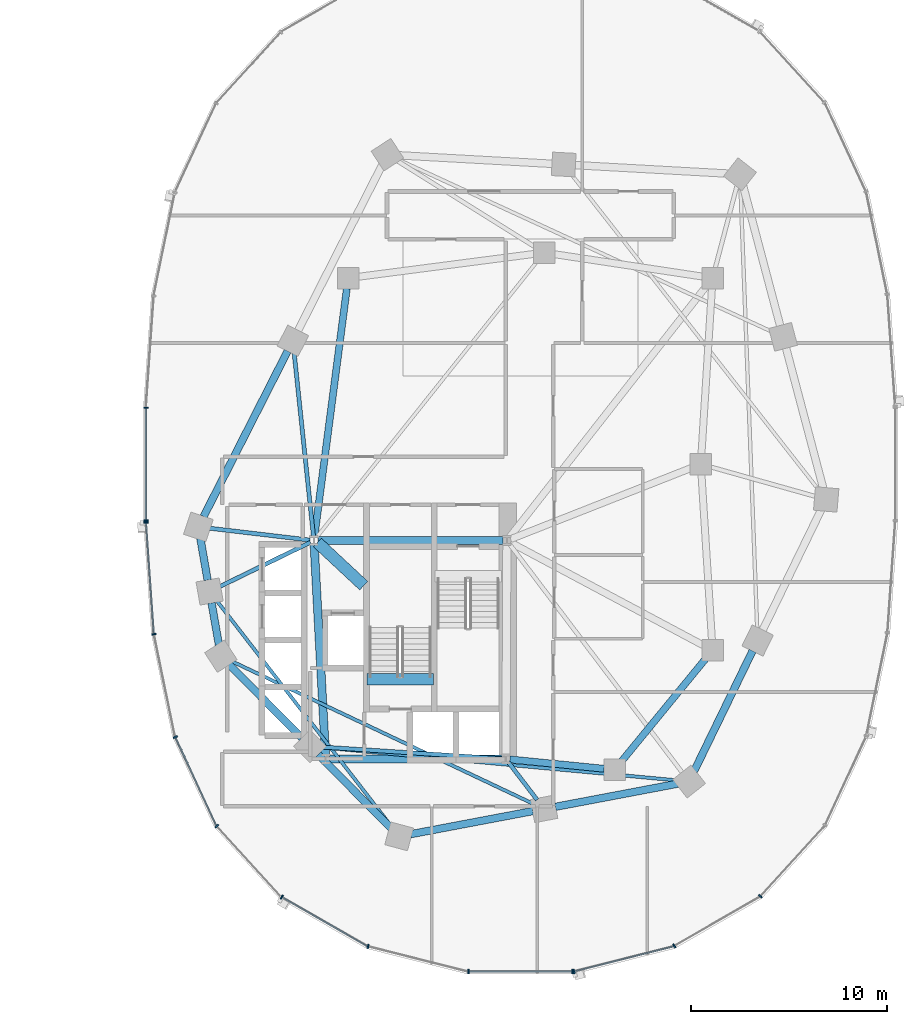
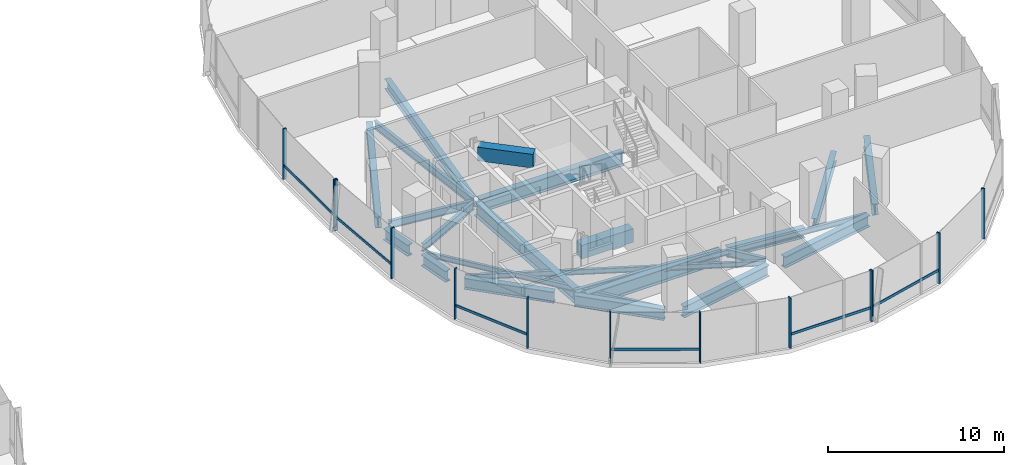
# One storey, part 5 of 22: 24 beams, 19 members, 3 elements without a shape of their own.
"""IFC4 building model written with IfcOpenShell, lengths in metres."""

from ifc_helpers import new_model, si_unit, direction, frame, origin, origin_2d, place, context, subcontext, project, spatial, rectangle, i_section, extrude, material, material_profile, profile_set, type_object, element, aggregate, save


model = new_model("IFC4")

# Units and contexts
model_context = context("Model", 3, precision=1e-05, world=origin(), true_north=direction((0.0, 1.0)))
body_context = subcontext(model_context, "Body", "Model", "MODEL_VIEW")
ifc_project = project(units=[si_unit("LENGTHUNIT", "METRE"), si_unit("AREAUNIT", "SQUARE_METRE"), si_unit("VOLUMEUNIT", "CUBIC_METRE"), si_unit("PLANEANGLEUNIT", "RADIAN"), si_unit("MASSUNIT", "GRAM", prefix="KILO"), si_unit("THERMODYNAMICTEMPERATUREUNIT", "KELVIN"), si_unit("POWERUNIT", "WATT")], contexts=[model_context])

# Site, building, storey
site_placement = place(None, origin())
site = spatial("IfcSite", under=ifc_project, at=site_placement, CompositionType="ELEMENT")
building_placement = place(site_placement, origin())
building = spatial("IfcBuilding", under=site, at=building_placement, Name="Cundina Bronze Exchange", CompositionType="ELEMENT")
storey_placement = place(building_placement, frame((0.0, 0.0, 35.39990234375)))
storey = spatial("IfcBuildingStorey", under=building, at=storey_placement, Name="L08", CompositionType="ELEMENT", Elevation=35.39990234375)

# Beams
ifc_material_1 = material(Name="Concrete C60/75", Category="concrete")
ifc_material_profile_1 = material_profile(ifc_material_1, rectangle(XDim=0.60009765625, YDim=0.949951171875, at=origin_2d()), Name="RC600X950", Category="concrete")
ifc_profile_set_1 = profile_set([ifc_material_profile_1], Name="Concrete C60/75")
beam_type_1 = type_object("IfcBeamType", Name="BM-COUP-RC950", PredefinedType="LINTEL", material=ifc_profile_set_1)
beam_1_placement = place(storey_placement, frame((24.159912109375, -10.97998046875, -0.474853515625), z_axis=(1.0, 0.0, 0.0), x_axis=(0.0, 1.0, 0.0)))
element("IfcBeam", 1, at=beam_1_placement, inside=storey, type_object=beam_type_1, Name="L08 Stair E2 Landing Header Beam", PredefinedType="LINTEL", context=body_context, shape_type="SweptSolid", body=[
    extrude(rectangle(XDim=0.60009765625, YDim=0.949951171875, at=origin_2d()), origin(), (0.0, 0.0, 1.0), 3.400146484375),
])
beam_2_placement = place(storey_placement, frame((21.6298828125, -4.0, 3.025146484375), z_axis=(0.731490439815, -0.681851696822, 0.0), x_axis=(0.681851696822, 0.731490439815, 0.0)))
element("IfcBeam", 2, at=beam_2_placement, inside=storey, type_object=beam_type_1, Name="L08 E Core Shear Coupling Lintel Beam", PredefinedType="LINTEL", context=body_context, shape_type="SweptSolid", body=[
    extrude(rectangle(XDim=0.60009765625, YDim=0.949951171875, at=origin_2d()), origin(), (0.0, 0.0, 1.0), 3.226318359375),
])
ifc_material_2 = material(Name="Steel ASTM A992 Grade 50", Category="steel")
ifc_material_profile_2 = material_profile(ifc_material_2, i_section(OverallWidth=0.2099609375, OverallDepth=0.532958984375, WebThickness=0.01025390625, FlangeThickness=0.015625, FilletRadius=0.013916015625, at=origin_2d()), Name="W21X62", Category="steel")
ifc_profile_set_2 = profile_set([ifc_material_profile_2], Name="Steel ASTM A992 Grade 50")
beam_type_2 = type_object("IfcBeamType", Name="BM-FLR-W21B", PredefinedType="BEAM", material=ifc_profile_set_2)
beam_3_placement = place(storey_placement, frame((21.247314453125, -3.8759765625, -0.56640625), z_axis=(-0.993035236117, 0.117817739878, 0.0), x_axis=(-0.117817739878, -0.993035236117, 0.0)))
element("IfcBeam", 3, at=beam_3_placement, inside=storey, type_object=beam_type_2, Name="L08 Leg E Chordal Floor Beam 00", PredefinedType="BEAM", context=body_context, shape_type="SweptSolid", body=[
    extrude(i_section(OverallWidth=0.2099609375, OverallDepth=0.532958984375, WebThickness=0.01025390625, FlangeThickness=0.015625, FilletRadius=0.013916015625, at=origin_2d()), origin(), (0.0, 0.0, 1.0), 5.1494140625),
])
beam_4_placement = place(storey_placement, frame((21.2666015625, -3.989501953125, -0.56640625), z_axis=(-0.898610249448, -0.438747785849, 0.0), x_axis=(0.438747785849, -0.898610249448, 0.0)))
element("IfcBeam", 4, at=beam_4_placement, inside=storey, type_object=beam_type_2, Name="L08 Leg E Chordal Floor Beam 01", PredefinedType="BEAM", context=body_context, shape_type="SweptSolid", body=[
    extrude(i_section(OverallWidth=0.2099609375, OverallDepth=0.532958984375, WebThickness=0.01025390625, FlangeThickness=0.015625, FilletRadius=0.013916015625, at=origin_2d()), origin(), (0.0, 0.0, 1.0), 5.1337890625),
])
beam_5_placement = place(storey_placement, frame((31.04638671875, -15.036865234375, -0.56640625), z_axis=(-0.99789233798, 0.064891307594, 0.0), x_axis=(-0.064891307594, -0.99789233798, 0.0)))
element("IfcBeam", 5, at=beam_5_placement, inside=storey, type_object=beam_type_2, Name="L08 Leg E Chordal Floor Beam 03", PredefinedType="BEAM", context=body_context, shape_type="SweptSolid", body=[
    extrude(i_section(OverallWidth=0.2099609375, OverallDepth=0.532958984375, WebThickness=0.01025390625, FlangeThickness=0.015625, FilletRadius=0.013916015625, at=origin_2d()), origin(), (0.0, 0.0, 1.0), 9.22900390625),
])
beam_6_placement = place(storey_placement, frame((31.373779296875, -15.2119140625, -0.56640625), z_axis=(0.607468844289, -0.794343504548, 0.0), x_axis=(0.794343504548, 0.607468844289, 0.0)))
element("IfcBeam", 6, at=beam_6_placement, inside=storey, type_object=beam_type_2, Name="L08 Leg E Chordal Floor Beam 05", PredefinedType="BEAM", context=body_context, shape_type="SweptSolid", body=[
    extrude(i_section(OverallWidth=0.2099609375, OverallDepth=0.532958984375, WebThickness=0.01025390625, FlangeThickness=0.015625, FilletRadius=0.013916015625, at=origin_2d()), origin(), (0.0, 0.0, 1.0), 2.418212890625),
])
beam_7_placement = place(storey_placement, frame((21.4287109375, -3.697021484375, -0.56640625), z_axis=(-0.10483517787, 0.994489610544, 0.0), x_axis=(-0.994489610544, -0.10483517787, 0.0)))
element("IfcBeam", 7, at=beam_7_placement, inside=storey, type_object=beam_type_2, Name="L08 Leg E Chordal Floor Beam 13", PredefinedType="BEAM", context=body_context, shape_type="SweptSolid", body=[
    extrude(i_section(OverallWidth=0.2099609375, OverallDepth=0.532958984375, WebThickness=0.01025390625, FlangeThickness=0.015625, FilletRadius=0.013916015625, at=origin_2d()), origin(), (0.0, 0.0, 1.0), 9.46435546875),
])
ifc_material_profile_3 = material_profile(ifc_material_2, i_section(OverallWidth=0.172119140625, OverallDepth=0.35791015625, WebThickness=0.0078125, FlangeThickness=0.01318359375, FilletRadius=0.010009765625, at=origin_2d()), Name="W14X38", Category="steel")
ifc_profile_set_3 = profile_set([ifc_material_profile_3], Name="Steel ASTM A992 Grade 50")
beam_type_3 = type_object("IfcBeamType", Name="BM-JST-W14", PredefinedType="JOIST", material=ifc_profile_set_3)
beam_8_placement = place(storey_placement, frame((16.48486328125, -6.965087890625, -0.47900390625), z_axis=(0.612089386305, -0.790788583108, 0.0), x_axis=(0.790788583108, 0.612089386305, 0.0)))
element("IfcBeam", 8, at=beam_8_placement, inside=storey, type_object=beam_type_3, Name="L08 Leg E Lobe Floor Joist 01-04", PredefinedType="JOIST", context=body_context, shape_type="SweptSolid", body=[
    extrude(i_section(OverallWidth=0.172119140625, OverallDepth=0.35791015625, WebThickness=0.0078125, FlangeThickness=0.01318359375, FilletRadius=0.010009765625, at=origin_2d()), origin(), (0.0, 0.0, 1.0), 14.630859375),
])
beam_9_placement = place(storey_placement, frame((17.231689453125, -10.05126953125, -0.47900390625), z_axis=(0.904072668297, -0.427378766949, 0.0), x_axis=(0.427378766949, 0.904072668297, 0.0)))
element("IfcBeam", 9, at=beam_9_placement, inside=storey, type_object=beam_type_3, Name="L08 Leg E Lobe Floor Joist 02-05", PredefinedType="JOIST", context=body_context, shape_type="SweptSolid", body=[
    extrude(i_section(OverallWidth=0.172119140625, OverallDepth=0.35791015625, WebThickness=0.0078125, FlangeThickness=0.01318359375, FilletRadius=0.010009765625, at=origin_2d()), origin(), (0.0, 0.0, 1.0), 17.07470703125),
])
beam_10_placement = place(storey_placement, frame((21.83544921875, -14.45458984375, -0.47900390625), z_axis=(0.995701961644, -0.09261535282, 0.0), x_axis=(0.09261535282, 0.995701961644, 0.0)))
element("IfcBeam", 10, at=beam_10_placement, inside=storey, type_object=beam_type_3, Name="L08 Leg E Lobe Floor Joist 03-06", PredefinedType="JOIST", context=body_context, shape_type="SweptSolid", body=[
    extrude(i_section(OverallWidth=0.172119140625, OverallDepth=0.35791015625, WebThickness=0.0078125, FlangeThickness=0.01318359375, FilletRadius=0.010009765625, at=origin_2d()), origin(), (0.0, 0.0, 1.0), 18.25732421875),
])
ifc_material_profile_4 = material_profile(ifc_material_2, i_section(OverallWidth=0.35498046875, OverallDepth=0.695068359375, WebThickness=0.015380859375, FlangeThickness=0.02490234375, FilletRadius=0.01806640625, at=origin_2d()), Name="W27X146", Category="steel")
ifc_profile_set_4 = profile_set([ifc_material_profile_4], Name="Steel ASTM A992 Grade 50")
beam_type_4 = type_object("IfcBeamType", Name="BM-RING-W27", PredefinedType="USERDEFINED", material=ifc_profile_set_4)
beam_11_placement = place(storey_placement, frame((31.452880859375, -15.070068359375, -0.6474609375), z_axis=(0.995126271817, -0.098608839051, 0.0), x_axis=(0.098608839051, 0.995126271817, 0.0)))
element("IfcBeam", 11, at=beam_11_placement, inside=storey, type_object=beam_type_4, Name="L08 E Inner Structural Ring Girder 01", ObjectType="GIRDER", PredefinedType="USERDEFINED", context=body_context, shape_type="SweptSolid", body=[
    extrude(i_section(OverallWidth=0.35498046875, OverallDepth=0.695068359375, WebThickness=0.015380859375, FlangeThickness=0.02490234375, FilletRadius=0.01806640625, at=origin_2d()), origin(), (0.0, 0.0, 1.0), 4.83544921875),
])
beam_12_placement = place(storey_placement, frame((37.14111328125, -15.183837890625, -0.6474609375), z_axis=(0.633926549035, 0.773393257295, 0.0), x_axis=(-0.773393257295, 0.633926549035, 0.0)))
element("IfcBeam", 12, at=beam_12_placement, inside=storey, type_object=beam_type_4, Name="L08 E Inner Structural Ring Girder 02", ObjectType="GIRDER", PredefinedType="USERDEFINED", context=body_context, shape_type="SweptSolid", body=[
    extrude(i_section(OverallWidth=0.35498046875, OverallDepth=0.695068359375, WebThickness=0.015380859375, FlangeThickness=0.02490234375, FilletRadius=0.01806640625, at=origin_2d()), origin(), (0.0, 0.0, 1.0), 6.811279296875),
])
beam_13_placement = place(storey_placement, frame((23.13037109375, 8.966552734375, -0.6474609375), z_axis=(-0.129507526533, -0.99157843894, 0.0), x_axis=(0.99157843894, -0.129507526533, 0.0)))
element("IfcBeam", 13, at=beam_13_placement, inside=storey, type_object=beam_type_4, Name="L08 E Inner Structural Ring Girder 07", ObjectType="GIRDER", PredefinedType="USERDEFINED", context=body_context, shape_type="SweptSolid", body=[
    extrude(i_section(OverallWidth=0.35498046875, OverallDepth=0.695068359375, WebThickness=0.015380859375, FlangeThickness=0.02490234375, FilletRadius=0.01806640625, at=origin_2d()), origin(), (0.0, 0.0, 1.0), 12.77197265625),
])
ifc_material_profile_5 = material_profile(ifc_material_2, i_section(OverallWidth=0.381103515625, OverallDepth=0.77294921875, WebThickness=0.0166015625, FlangeThickness=0.027099609375, FilletRadius=0.01904296875, at=origin_2d()), Name="W30X173", Category="steel")
ifc_profile_set_5 = profile_set([ifc_material_profile_5], Name="Steel ASTM A992 Grade 50")
beam_type_5 = type_object("IfcBeamType", Name="BM-RING-W30", PredefinedType="USERDEFINED", material=ifc_profile_set_5)
for number, where, z_axis, x_axis, name in (
    (14, (15.65087890625, -3.779296875, -0.6865234375), (0.171734584051, -0.985143254883, 0.0), (0.985143254883, 0.171734584051, 0.0), "L08 E Perimeter Ring Girder 00"),
    (15, (16.225830078125, -7.079345703125, -0.6865234375), (0.171734584051, -0.985143254883, 0.0), (0.985143254883, 0.171734584051, 0.0), "L08 E Perimeter Ring Girder 01"),
):
    element("IfcBeam", number, at=place(storey_placement, frame(where, z_axis=z_axis, x_axis=x_axis)), inside=storey, type_object=beam_type_5, Name=name, ObjectType="GIRDER", PredefinedType="USERDEFINED", context=body_context, shape_type="SweptSolid", body=[
        extrude(i_section(OverallWidth=0.381103515625, OverallDepth=0.77294921875, WebThickness=0.0166015625, FlangeThickness=0.027099609375, FilletRadius=0.01904296875, at=origin_2d()), origin(), (0.0, 0.0, 1.0), 2.173583984375),
    ])
for number, where, z_axis, x_axis, name in (
    (16, (17.113525390625, -10.218017578125, -0.6865234375), (0.703222428859, -0.710969911845, 0.0), (0.710969911845, 0.703222428859, 0.0), "L08 E Perimeter Ring Girder 02"),
    (17, (21.66357421875, -14.818115234375, -0.6865234375), (0.703222428859, -0.710969911845, 0.0), (0.710969911845, 0.703222428859, 0.0), "L08 E Perimeter Ring Girder 03"),
):
    element("IfcBeam", number, at=place(storey_placement, frame(where, z_axis=z_axis, x_axis=x_axis)), inside=storey, type_object=beam_type_5, Name=name, ObjectType="GIRDER", PredefinedType="USERDEFINED", context=body_context, shape_type="SweptSolid", body=[
        extrude(i_section(OverallWidth=0.381103515625, OverallDepth=0.77294921875, WebThickness=0.0166015625, FlangeThickness=0.027099609375, FilletRadius=0.01904296875, at=origin_2d()), origin(), (0.0, 0.0, 1.0), 5.2939453125),
    ])
beam_14_placement = place(storey_placement, frame((26.377685546875, -18.890625, -0.6865234375), z_axis=(0.982570814598, 0.185888661031, 0.0), x_axis=(-0.185888661031, 0.982570814598, 0.0)))
element("IfcBeam", 18, at=beam_14_placement, inside=storey, type_object=beam_type_5, Name="L08 E Perimeter Ring Girder 04", ObjectType="GIRDER", PredefinedType="USERDEFINED", context=body_context, shape_type="SweptSolid", body=[
    extrude(i_section(OverallWidth=0.381103515625, OverallDepth=0.77294921875, WebThickness=0.0166015625, FlangeThickness=0.027099609375, FilletRadius=0.01904296875, at=origin_2d()), origin(), (0.0, 0.0, 1.0), 6.35546875),
])
beam_15_placement = place(storey_placement, frame((33.77783203125, -17.49072265625, -0.6865234375), z_axis=(0.982569487119, 0.185895677686, 0.0), x_axis=(-0.185895677686, 0.982569487119, 0.0)))
element("IfcBeam", 19, at=beam_15_placement, inside=storey, type_object=beam_type_5, Name="L08 E Perimeter Ring Girder 05", ObjectType="GIRDER", PredefinedType="USERDEFINED", context=body_context, shape_type="SweptSolid", body=[
    extrude(i_section(OverallWidth=0.381103515625, OverallDepth=0.77294921875, WebThickness=0.0166015625, FlangeThickness=0.027099609375, FilletRadius=0.01904296875, at=origin_2d()), origin(), (0.0, 0.0, 1.0), 6.355224609375),
])
beam_16_placement = place(storey_placement, frame((40.857177734375, -15.671142578125, -0.6865234375), z_axis=(0.437190698904, 0.899368830231, 0.0), x_axis=(-0.899368830231, 0.437190698904, 0.0)))
element("IfcBeam", 20, at=beam_16_placement, inside=storey, type_object=beam_type_5, Name="L08 E Perimeter Ring Girder 06", ObjectType="GIRDER", PredefinedType="USERDEFINED", context=body_context, shape_type="SweptSolid", body=[
    extrude(i_section(OverallWidth=0.381103515625, OverallDepth=0.77294921875, WebThickness=0.0166015625, FlangeThickness=0.027099609375, FilletRadius=0.01904296875, at=origin_2d()), origin(), (0.0, 0.0, 1.0), 6.82958984375),
])
beam_17_placement = place(storey_placement, frame((20.108642578125, 5.775634765625, -0.6865234375), z_axis=(-0.452819633606, -0.891602141889, 0.0), x_axis=(0.891602141889, -0.452819633606, 0.0)))
element("IfcBeam", 21, at=beam_17_placement, inside=storey, type_object=beam_type_5, Name="L08 E Perimeter Ring Girder 13", ObjectType="GIRDER", PredefinedType="USERDEFINED", context=body_context, shape_type="SweptSolid", body=[
    extrude(i_section(OverallWidth=0.381103515625, OverallDepth=0.77294921875, WebThickness=0.0166015625, FlangeThickness=0.027099609375, FilletRadius=0.01904296875, at=origin_2d()), origin(), (0.0, 0.0, 1.0), 9.47900390625),
])
ifc_material_profile_6 = material_profile(ifc_material_2, i_section(OverallWidth=0.41796875, OverallDepth=0.927001953125, WebThickness=0.019287109375, FlangeThickness=0.031982421875, FilletRadius=0.02392578125, at=origin_2d()), Name="W36X231", Category="steel")
ifc_profile_set_6 = profile_set([ifc_material_profile_6], Name="Steel ASTM A992 Grade 50")
beam_type_6 = type_object("IfcBeamType", Name="BM-WRN-W36B", PredefinedType="USERDEFINED", material=ifc_profile_set_6)
beam_18_placement = place(storey_placement, frame((31.095947265625, -3.89990234375, -0.763427734375), z_axis=(-1.0, 0.0, 0.0), x_axis=(0.0, -1.0, 0.0)))
element("IfcBeam", 22, at=beam_18_placement, inside=storey, type_object=beam_type_6, Name="L08 E Core Perimeter Tie Girder 1", ObjectType="GIRDER", PredefinedType="USERDEFINED", context=body_context, shape_type="SweptSolid", body=[
    extrude(i_section(OverallWidth=0.41796875, OverallDepth=0.927001953125, WebThickness=0.019287109375, FlangeThickness=0.031982421875, FilletRadius=0.02392578125, at=origin_2d()), origin(), (0.0, 0.0, 1.0), 9.44189453125),
])
beam_19_placement = place(storey_placement, frame((21.4609375, -4.103759765625, -0.763427734375), z_axis=(0.053739193498, -0.998555005537, 0.0), x_axis=(0.998555005537, 0.053739193498, 0.0)))
element("IfcBeam", 23, at=beam_19_placement, inside=storey, type_object=beam_type_6, Name="L08 E Core Perimeter Tie Girder 2", ObjectType="GIRDER", PredefinedType="USERDEFINED", context=body_context, shape_type="SweptSolid", body=[
    extrude(i_section(OverallWidth=0.41796875, OverallDepth=0.927001953125, WebThickness=0.019287109375, FlangeThickness=0.031982421875, FilletRadius=0.02392578125, at=origin_2d()), origin(), (0.0, 0.0, 1.0), 10.758056640625),
])
beam_20_placement = place(storey_placement, frame((22.25390625, -15.050048828125, -0.763427734375), z_axis=(1.0, 0.0, 0.0), x_axis=(0.0, 1.0, 0.0)))
element("IfcBeam", 24, at=beam_20_placement, inside=storey, type_object=beam_type_6, Name="L08 E Core Perimeter Tie Girder 3", ObjectType="GIRDER", PredefinedType="USERDEFINED", context=body_context, shape_type="SweptSolid", body=[
    extrude(i_section(OverallWidth=0.41796875, OverallDepth=0.927001953125, WebThickness=0.019287109375, FlangeThickness=0.031982421875, FilletRadius=0.02392578125, at=origin_2d()), origin(), (0.0, 0.0, 1.0), 8.7919921875),
])

# Curtain wall, members
ifc_material_3 = material(Name="Anodised Bronze Aluminium 6063-T6", Category="aluminium")
curtain_wall_type = type_object("IfcCurtainWallType", Name="CWS-TRD-LOW", PredefinedType="NOTDEFINED", material=ifc_material_3)
curtain_wall_1_placement = place(storey_placement, origin())
curtain_wall_1 = element("IfcCurtainWall", 25, at=curtain_wall_1_placement, inside=storey, type_object=curtain_wall_type, Name="L08 CW-02 Curtain Wall Run CWR-L08-E2", PredefinedType="NOTDEFINED")
ifc_material_profile_7 = material_profile(ifc_material_3, rectangle(XDim=0.074951171875, YDim=0.219970703125, at=origin_2d()), Name="AL75X220", Category="aluminium")
ifc_profile_set_7 = profile_set([ifc_material_profile_7], Name="Anodised Bronze Aluminium 6063-T6")
member_type_1 = type_object("IfcMemberType", Name="CWM-MUL-220", PredefinedType="MULLION", material=ifc_profile_set_7)
member_1_placement = place(storey_placement, frame((12.8720703125, 2.880615234375, 0.0), z_axis=(0.0, 0.0, 1.0), x_axis=(0.0, -1.0, 0.0)))
member_1 = element("IfcMember", 26, at=member_1_placement, type_object=member_type_1, Name="CW-02 Mullion 7", PredefinedType="MULLION", context=body_context, shape_type="SweptSolid", body=[
    extrude(rectangle(XDim=0.074951171875, YDim=0.219970703125, at=origin_2d()), origin(), (0.0, 0.0, 1.0), 3.5),
])
member_2_placement = place(storey_placement, frame((12.8720703125, -2.880615234375, 0.0), z_axis=(0.0, 0.0, 1.0), x_axis=(0.0, -1.0, 0.0)))
member_2 = element("IfcMember", 27, at=member_2_placement, type_object=member_type_1, Name="CW-02 End Mullion", PredefinedType="MULLION", context=body_context, shape_type="SweptSolid", body=[
    extrude(rectangle(XDim=0.074951171875, YDim=0.219970703125, at=origin_2d()), origin(), (0.0, 0.0, 1.0), 3.5),
])

curtain_wall_2_placement = place(storey_placement, origin())
curtain_wall_2 = element("IfcCurtainWall", 28, at=curtain_wall_2_placement, inside=storey, type_object=curtain_wall_type, Name="L08 CW-02 Curtain Wall Run CWR-L08-E3", PredefinedType="NOTDEFINED")
member_3_placement = place(storey_placement, frame((12.87548828125, -2.976318359375, 0.0), z_axis=(0.0, 0.0, 1.0), x_axis=(0.070278787473, -0.997527389113, 0.0)))
member_3 = element("IfcMember", 29, at=member_3_placement, type_object=member_type_1, Name="CW-02 Mullion 1", PredefinedType="MULLION", context=body_context, shape_type="SweptSolid", body=[
    extrude(rectangle(XDim=0.074951171875, YDim=0.219970703125, at=origin_2d()), origin(), (0.0, 0.0, 1.0), 3.5),
])
member_4_placement = place(storey_placement, frame((13.282958984375, -8.67822265625, 0.0), z_axis=(0.0, 0.0, 1.0), x_axis=(0.201419845156, -0.979505000486, 0.0)))
member_4 = element("IfcMember", 30, at=member_4_placement, type_object=member_type_1, Name="CW-02 Mullion 2", PredefinedType="MULLION", context=body_context, shape_type="SweptSolid", body=[
    extrude(rectangle(XDim=0.074951171875, YDim=0.219970703125, at=origin_2d()), origin(), (0.0, 0.0, 1.0), 3.5),
])
member_5_placement = place(storey_placement, frame((14.3720703125, -13.931884765625, 0.0), z_axis=(0.0, 0.0, 1.0), x_axis=(0.42087749791, -0.907117485088, 0.0)))
member_5 = element("IfcMember", 31, at=member_5_placement, type_object=member_type_1, Name="CW-02 Mullion 3", PredefinedType="MULLION", context=body_context, shape_type="SweptSolid", body=[
    extrude(rectangle(XDim=0.074951171875, YDim=0.219970703125, at=origin_2d()), origin(), (0.0, 0.0, 1.0), 3.5),
])
member_6_placement = place(storey_placement, frame((16.491455078125, -18.47705078125, 0.0), z_axis=(0.0, 0.0, 1.0), x_axis=(0.674302387584, -0.738455340626, 0.0)))
member_6 = element("IfcMember", 32, at=member_6_placement, type_object=member_type_1, Name="CW-02 Mullion 4", PredefinedType="MULLION", context=body_context, shape_type="SweptSolid", body=[
    extrude(rectangle(XDim=0.074951171875, YDim=0.219970703125, at=origin_2d()), origin(), (0.0, 0.0, 1.0), 3.5),
])
member_7_placement = place(storey_placement, frame((19.810302734375, -22.097412109375, 0.0), z_axis=(0.0, 0.0, 1.0), x_axis=(0.867070701164, -0.498185105339, 0.0)))
member_7 = element("IfcMember", 33, at=member_7_placement, type_object=member_type_1, Name="CW-02 Mullion 5", PredefinedType="MULLION", context=body_context, shape_type="SweptSolid", body=[
    extrude(rectangle(XDim=0.074951171875, YDim=0.219970703125, at=origin_2d()), origin(), (0.0, 0.0, 1.0), 3.5),
])
member_8_placement = place(storey_placement, frame((24.21484375, -24.61669921875, 0.0), z_axis=(0.0, 0.0, 1.0), x_axis=(0.969488149345, -0.245138182011, 0.0)))
member_8 = element("IfcMember", 34, at=member_8_placement, type_object=member_type_1, Name="CW-02 Mullion 6", PredefinedType="MULLION", context=body_context, shape_type="SweptSolid", body=[
    extrude(rectangle(XDim=0.074951171875, YDim=0.219970703125, at=origin_2d()), origin(), (0.0, 0.0, 1.0), 3.5),
])
member_9_placement = place(storey_placement, frame((29.345458984375, -25.905029296875, 0.0), z_axis=(0.0, 0.0, 1.0), x_axis=(1.0, 0.0, 0.0)))
member_9 = element("IfcMember", 35, at=member_9_placement, type_object=member_type_1, Name="CW-02 Mullion 7", PredefinedType="MULLION", context=body_context, shape_type="SweptSolid", body=[
    extrude(rectangle(XDim=0.074951171875, YDim=0.219970703125, at=origin_2d()), origin(), (0.0, 0.0, 1.0), 3.5),
])
member_10_placement = place(storey_placement, frame((34.654541015625, -25.905029296875, 0.0), z_axis=(0.0, 0.0, 1.0), x_axis=(1.0, 0.0, 0.0)))
member_10 = element("IfcMember", 36, at=member_10_placement, type_object=member_type_1, Name="CW-02 End Mullion", PredefinedType="MULLION", context=body_context, shape_type="SweptSolid", body=[
    extrude(rectangle(XDim=0.074951171875, YDim=0.219970703125, at=origin_2d()), origin(), (0.0, 0.0, 1.0), 3.5),
])

curtain_wall_3_placement = place(storey_placement, origin())
curtain_wall_3 = element("IfcCurtainWall", 37, at=curtain_wall_3_placement, inside=storey, type_object=curtain_wall_type, Name="L08 CW-02 Curtain Wall Run CWR-L08-E4", PredefinedType="NOTDEFINED")
member_11_placement = place(storey_placement, frame((34.72607421875, -25.89599609375, 0.0), z_axis=(0.0, 0.0, 1.0), x_axis=(0.969488149345, 0.245138182011, 0.0)))
member_11 = element("IfcMember", 38, at=member_11_placement, type_object=member_type_1, Name="CW-02 Mullion 1", PredefinedType="MULLION", context=body_context, shape_type="SweptSolid", body=[
    extrude(rectangle(XDim=0.074951171875, YDim=0.219970703125, at=origin_2d()), origin(), (0.0, 0.0, 1.0), 3.5),
])
member_12_placement = place(storey_placement, frame((39.848876953125, -24.591064453125, 0.0), z_axis=(0.0, 0.0, 1.0), x_axis=(0.867070701164, 0.498185105339, 0.0)))
member_12 = element("IfcMember", 39, at=member_12_placement, type_object=member_type_1, Name="CW-02 Mullion 2", PredefinedType="MULLION", context=body_context, shape_type="SweptSolid", body=[
    extrude(rectangle(XDim=0.074951171875, YDim=0.219970703125, at=origin_2d()), origin(), (0.0, 0.0, 1.0), 3.5),
])
member_13_placement = place(storey_placement, frame((44.239501953125, -22.0576171875, 0.0), z_axis=(0.0, 0.0, 1.0), x_axis=(0.674302387584, 0.738455340626, 0.0)))
member_13 = element("IfcMember", 40, at=member_13_placement, type_object=member_type_1, Name="CW-02 Mullion 3", PredefinedType="MULLION", context=body_context, shape_type="SweptSolid", body=[
    extrude(rectangle(XDim=0.074951171875, YDim=0.219970703125, at=origin_2d()), origin(), (0.0, 0.0, 1.0), 3.5),
])

# Member
ifc_material_profile_8 = material_profile(ifc_material_3, rectangle(XDim=0.070068359375, YDim=0.179931640625, at=origin_2d()), Name="AL70X180", Category="aluminium")
ifc_profile_set_8 = profile_set([ifc_material_profile_8], Name="Anodised Bronze Aluminium 6063-T6")
member_type_2 = type_object("IfcMemberType", Name="CWM-TRN-180", PredefinedType="USERDEFINED", material=ifc_profile_set_8)
member_14_placement = place(storey_placement, frame((12.8720703125, 2.839111328125, 0.920166015625), z_axis=(0.0, -1.0, 0.0), x_axis=(1.0, 0.0, 0.0)))
member_14 = element("IfcMember", 41, at=member_14_placement, type_object=member_type_2, Name="CW-02 Spandrel Transom 7", ObjectType="TRANSOM", PredefinedType="USERDEFINED", context=body_context, shape_type="SweptSolid", body=[
    extrude(rectangle(XDim=0.070068359375, YDim=0.179931640625, at=origin_2d()), origin(), (0.0, 0.0, 1.0), 5.67822265625),
])

aggregate(curtain_wall_1, [member_1, member_2, member_14])

member_15_placement = place(storey_placement, frame((12.87841796875, -3.017333984375, 0.920166015625), z_axis=(0.070260714471, -0.997528662246, 0.0), x_axis=(0.997528662246, 0.070260714471, 0.0)))
member_15 = element("IfcMember", 42, at=member_15_placement, type_object=member_type_2, Name="CW-02 Spandrel Transom 1", ObjectType="TRANSOM", PredefinedType="USERDEFINED", context=body_context, shape_type="SweptSolid", body=[
    extrude(rectangle(XDim=0.070068359375, YDim=0.179931640625, at=origin_2d()), origin(), (0.0, 0.0, 1.0), 5.629150390625),
])

member_16_placement = place(storey_placement, frame((14.389404296875, -13.96923828125, 0.920166015625), z_axis=(0.420811422796, -0.907148139195, 0.0), x_axis=(0.907148139195, 0.420811422796, 0.0)))
member_16 = element("IfcMember", 43, at=member_16_placement, type_object=member_type_2, Name="CW-02 Spandrel Transom 3", ObjectType="TRANSOM", PredefinedType="USERDEFINED", context=body_context, shape_type="SweptSolid", body=[
    extrude(rectangle(XDim=0.070068359375, YDim=0.179931640625, at=origin_2d()), origin(), (0.0, 0.0, 1.0), 4.95166015625),
])

member_17_placement = place(storey_placement, frame((19.845947265625, -22.117919921875, 0.920166015625), z_axis=(0.867097475651, -0.498138502546, 0.0), x_axis=(0.498138502546, 0.867097475651, 0.0)))
member_17 = element("IfcMember", 44, at=member_17_placement, type_object=member_type_2, Name="CW-02 Spandrel Transom 5", ObjectType="TRANSOM", PredefinedType="USERDEFINED", context=body_context, shape_type="SweptSolid", body=[
    extrude(rectangle(XDim=0.070068359375, YDim=0.179931640625, at=origin_2d()), origin(), (0.0, 0.0, 1.0), 5.00634765625),
])

member_18_placement = place(storey_placement, frame((29.38671875, -25.905029296875, 0.920166015625), z_axis=(1.0, 0.0, 0.0), x_axis=(0.0, 1.0, 0.0)))
member_18 = element("IfcMember", 45, at=member_18_placement, type_object=member_type_2, Name="CW-02 Spandrel Transom 7", ObjectType="TRANSOM", PredefinedType="USERDEFINED", context=body_context, shape_type="SweptSolid", body=[
    extrude(rectangle(XDim=0.070068359375, YDim=0.179931640625, at=origin_2d()), origin(), (0.0, 0.0, 1.0), 5.2265625),
])

aggregate(curtain_wall_2, [member_3, member_15, member_4, member_5, member_16, member_6, member_7, member_17, member_8, member_9, member_10, member_18])

member_19_placement = place(storey_placement, frame((34.76611328125, -25.885986328125, 0.920166015625), z_axis=(0.969483968866, 0.245154714644, 0.0), x_axis=(-0.245154714644, 0.969483968866, 0.0)))
member_19 = element("IfcMember", 46, at=member_19_placement, type_object=member_type_2, Name="CW-02 Spandrel Transom 1", ObjectType="TRANSOM", PredefinedType="USERDEFINED", context=body_context, shape_type="SweptSolid", body=[
    extrude(rectangle(XDim=0.070068359375, YDim=0.179931640625, at=origin_2d()), origin(), (0.0, 0.0, 1.0), 5.21826171875),
])

aggregate(curtain_wall_3, [member_11, member_19, member_12, member_13])

save(model, "model.ifc")
